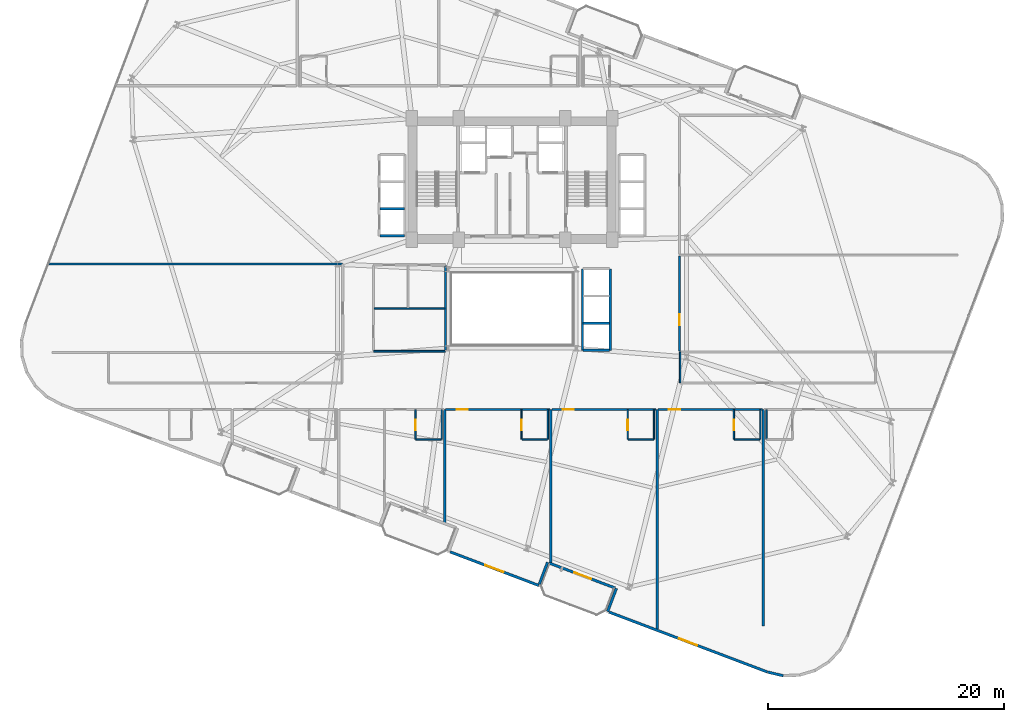
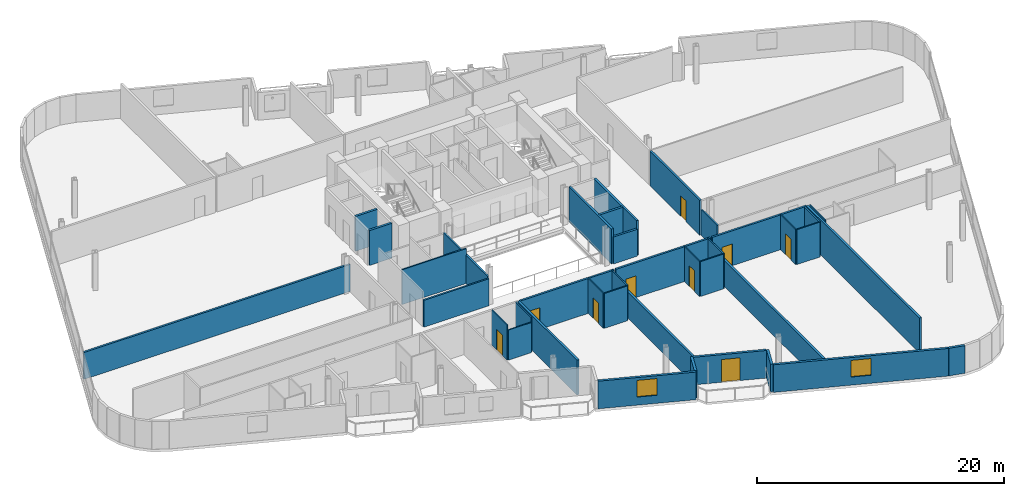
# One storey, part 19 of 26: 38 walls, 9 doors, 2 windows, 11 openings.
"""IFC4 building model written with IfcOpenShell, lengths in metres."""

from ifc_helpers import new_model, si_unit, direction, frame, frame_2d, origin, place, context, subcontext, project, spatial, rectangle, extrude, material, layer, layer_set, type_object, element, fill, save


model = new_model("IFC4")

# Units and contexts
model_context = context("Model", 3, precision=1e-05, world=origin(), true_north=direction((0.0, 1.0)))
body_context = subcontext(model_context, "Body", "Model", "MODEL_VIEW")
ifc_project = project(units=[si_unit("LENGTHUNIT", "METRE"), si_unit("AREAUNIT", "SQUARE_METRE"), si_unit("VOLUMEUNIT", "CUBIC_METRE"), si_unit("PLANEANGLEUNIT", "RADIAN"), si_unit("MASSUNIT", "GRAM", prefix="KILO")], contexts=[model_context])

# Site, building, storey
site_placement = place(None, origin())
site = spatial("IfcSite", under=ifc_project, at=site_placement, CompositionType="ELEMENT")
building_placement = place(site_placement, origin())
building = spatial("IfcBuilding", under=site, at=building_placement, Name="Varnelok Gate Tower", CompositionType="ELEMENT")
storey_placement = place(building_placement, frame((0.0, 0.0, 109.5)))
storey = spatial("IfcBuildingStorey", under=building, at=storey_placement, Name="L27", CompositionType="ELEMENT", Elevation=109.5)

# Wall, opening, door
ifc_material_1 = material(Name="Concrete C45/55", Category="concrete")
ifc_layer_1 = layer(ifc_material_1, 0.219970703125)
ifc_layer_set_1 = layer_set([ifc_layer_1], Name="Concrete C45/55")
wall_type_1 = type_object("IfcWallType", Name="EW-BALC-220", PredefinedType="SOLIDWALL", material=ifc_layer_set_1)
wall_1_placement = place(storey_placement, frame((47.934814453125, -0.771484375, 0.0), z_axis=(0.0, 0.0, 1.0), x_axis=(-0.935227640088, 0.354046976001, 0.0)))
wall_1 = element("IfcWall", 1, at=wall_1_placement, inside=storey, type_object=wall_type_1, Name="L27 South Terrace Envelope Wall 3", PredefinedType="SOLIDWALL", context=body_context, shape_type="SweptSolid", body=[
    extrude(rectangle(XDim=6.0, YDim=0.219970703125, at=frame_2d((3.0, 0.0))), origin(), (0.0, 0.0, 1.0), 2.72998046875),
])
opening_1_placement = place(wall_1_placement, frame((2.176025390625, 0.0, 0.0)))
opening_1 = element("IfcOpeningElement", 2, at=opening_1_placement, cuts=wall_1, Name="Opening BD-1", PredefinedType="OPENING", context=body_context, shape_type="SweptSolid", body=[
    extrude(rectangle(XDim=1.5, YDim=2.25, at=frame_2d((0.75, 1.125))), frame((0.0, 0.119873046875, 0.0), z_axis=(0.0, -1.0, 0.0), x_axis=(1.0, 0.0, 0.0)), (0.0, 0.0, 1.0), 0.239990234375),
])
ifc_material_2 = material(Name="Anodized Aluminum Alloy 6063-T6", Category="aluminium")
door_type_1 = type_object("IfcDoorType", Name="DR-EXT-BALC1500", OperationType="NOTDEFINED", PredefinedType="DOOR", material=ifc_material_2)
door_1_placement = place(opening_1_placement, origin())
door_1 = element("IfcDoor", 3, at=door_1_placement, inside=storey, type_object=door_type_1, Name="L27 South Balcony Glazed Door 3", OperationType="SINGLE_SWING_RIGHT", OverallHeight=2.25, OverallWidth=1.5, PredefinedType="DOOR", context=body_context, shape_type="SweptSolid", body=[
    extrude(rectangle(XDim=1.5, YDim=2.25, at=frame_2d((0.75, 1.125))), frame((0.0, 0.02490234375, 0.0), z_axis=(0.0, -1.0, 0.0), x_axis=(1.0, 0.0, 0.0)), (0.0, 0.0, 1.0), 0.050048828125),
])
fill(opening_1, door_1)

# Wall, opening, window
wall_2_placement = place(storey_placement, frame((33.956787109375, 2.28564453125, 0.0), z_axis=(0.0, 0.0, 1.0), x_axis=(0.935220736163, -0.354065212427, 0.0)))
wall_2 = element("IfcWall", 4, at=wall_2_placement, inside=storey, type_object=wall_type_1, Name="L27 Perimeter Facade Closure Wall 13", PredefinedType="SOLIDWALL", context=body_context, shape_type="SweptSolid", body=[
    extrude(rectangle(XDim=8.03515625, YDim=0.219970703125, at=frame_2d((4.017578125, 0.0))), origin(), (0.0, 0.0, 1.0), 2.72998046875),
])
opening_2_placement = place(wall_2_placement, frame((3.1923828125, 0.0, 0.800048828125)))
opening_2 = element("IfcOpeningElement", 5, at=opening_2_placement, cuts=wall_2, Name="Opening WN3", PredefinedType="OPENING", context=body_context, shape_type="SweptSolid", body=[
    extrude(rectangle(XDim=1.64990234375, YDim=1.64990234375, at=frame_2d((0.824951171875, 0.824951171875))), frame((0.0, 0.119873046875, 0.0), z_axis=(0.0, -1.0, 0.0), x_axis=(1.0, 0.0, 0.0)), (0.0, 0.0, 1.0), 0.239990234375),
])
ifc_material_3 = material(Name="Low-E Laminated Double Glazing IGU", Category="glass")
window_type = type_object("IfcWindowType", Name="WN-HTL-1650", PartitioningType="SINGLE_PANEL", PredefinedType="WINDOW", material=ifc_material_3)
window_1_placement = place(opening_2_placement, origin())
window_1 = element("IfcWindow", 6, at=window_1_placement, inside=storey, type_object=window_type, Name="L27 Perimeter Vision Window 13", OverallHeight=1.64990234375, OverallWidth=1.64990234375, PartitioningType="SINGLE_PANEL", PredefinedType="WINDOW", context=body_context, shape_type="SweptSolid", body=[
    extrude(rectangle(XDim=1.64990234375, YDim=1.64990234375, at=frame_2d((0.824951171875, 0.824951171875))), frame((0.0, 0.030029296875, 0.0), z_axis=(0.0, -1.0, 0.0), x_axis=(1.0, 0.0, 0.0)), (0.0, 0.0, 1.0), 0.06005859375),
])
fill(opening_2, window_1)

# Walls
wall_3_placement = place(storey_placement, frame((41.515625, -0.4423828125, 0.0), z_axis=(0.0, 0.0, 1.0), x_axis=(0.354061611705, 0.935222099352, 0.0)))
element("IfcWall", 7, at=wall_3_placement, inside=storey, type_object=wall_type_1, Name="L27 Perimeter Facade Closure Wall 14", PredefinedType="SOLIDWALL", context=body_context, shape_type="SweptSolid", body=[
    extrude(rectangle(XDim=1.974853515625, YDim=0.219970703125, at=frame_2d((0.9873046875, 0.0))), origin(), (0.0, 0.0, 1.0), 2.72998046875),
])
wall_4_placement = place(storey_placement, frame((48.050537109375, -0.8046875, 0.0), z_axis=(0.0, 0.0, 1.0), x_axis=(-0.353988291547, -0.935249854022, 0.0)))
element("IfcWall", 8, at=wall_4_placement, inside=storey, type_object=wall_type_1, Name="L27 Perimeter Facade Closure Wall 15", PredefinedType="SOLIDWALL", context=body_context, shape_type="SweptSolid", body=[
    extrude(rectangle(XDim=2.10009765625, YDim=0.219970703125, at=frame_2d((1.050048828125, 0.0))), origin(), (0.0, 0.0, 1.0), 2.72998046875),
])

# Wall, opening, window
wall_5_placement = place(storey_placement, frame((47.424072265625, -2.81298828125, 0.0), z_axis=(0.0, 0.0, 1.0), x_axis=(0.935225962032, -0.354051408614, 0.0)))
wall_5 = element("IfcWall", 9, at=wall_5_placement, inside=storey, type_object=wall_type_1, Name="L27 Perimeter Facade Closure Wall 16", PredefinedType="SOLIDWALL", context=body_context, shape_type="SweptSolid", body=[
    extrude(rectangle(XDim=14.346923828125, YDim=0.219970703125, at=frame_2d((7.17333984375, 0.0))), origin(), (0.0, 0.0, 1.0), 2.72998046875),
])
opening_3_placement = place(wall_5_placement, frame((6.348388671875, 0.0, 0.800048828125)))
opening_3 = element("IfcOpeningElement", 10, at=opening_3_placement, cuts=wall_5, Name="Opening WN3", PredefinedType="OPENING", context=body_context, shape_type="SweptSolid", body=[
    extrude(rectangle(XDim=1.64990234375, YDim=1.64990234375, at=frame_2d((0.824951171875, 0.824951171875))), frame((0.0, 0.119873046875, 0.0), z_axis=(0.0, -1.0, 0.0), x_axis=(1.0, 0.0, 0.0)), (0.0, 0.0, 1.0), 0.239990234375),
])
window_2_placement = place(opening_3_placement, origin())
window_2 = element("IfcWindow", 11, at=window_2_placement, inside=storey, type_object=window_type, Name="L27 Perimeter Vision Window 16", OverallHeight=1.64990234375, OverallWidth=1.64990234375, PartitioningType="SINGLE_PANEL", PredefinedType="WINDOW", context=body_context, shape_type="SweptSolid", body=[
    extrude(rectangle(XDim=1.64990234375, YDim=1.64990234375, at=frame_2d((0.824951171875, 0.824951171875))), frame((0.0, 0.030029296875, 0.0), z_axis=(0.0, -1.0, 0.0), x_axis=(1.0, 0.0, 0.0)), (0.0, 0.0, 1.0), 0.06005859375),
])
fill(opening_3, window_2)

# Wall
wall_6_placement = place(storey_placement, frame((60.8662109375, -7.8984375, 0.0), z_axis=(0.0, 0.0, 1.0), x_axis=(0.973405403345, -0.229089329169, 0.0)))
element("IfcWall", 12, at=wall_6_placement, inside=storey, type_object=wall_type_1, Name="L27 Perimeter Facade Closure Wall 17", PredefinedType="SOLIDWALL", context=body_context, shape_type="SweptSolid", body=[
    extrude(rectangle(XDim=1.36083984375, YDim=0.219970703125, at=frame_2d((0.680419921875, 0.0))), origin(), (0.0, 0.0, 1.0), 2.72998046875),
])

# Wall, opening, door
ifc_material_4 = material(Name="Gypsum Plasterboard Acoustic Partition", Category="gypsum")
ifc_layer_2 = layer(ifc_material_4, 0.179931640625)
ifc_layer_set_2 = layer_set([ifc_layer_2], Name="Gypsum Plasterboard Acoustic Partition")
wall_type_2 = type_object("IfcWallType", Name="PW-CORR-180", PredefinedType="PARTITIONING", material=ifc_layer_set_2)
wall_7_placement = place(storey_placement, frame((33.580078125, 14.35009765625, 0.0), z_axis=(0.0, 0.0, 1.0), x_axis=(1.0, 0.0, 0.0)))
wall_7 = element("IfcWall", 13, at=wall_7_placement, inside=storey, type_object=wall_type_2, Name="Interior Partition", PredefinedType="PARTITIONING", context=body_context, shape_type="SweptSolid", body=[
    extrude(rectangle(XDim=8.83984375, YDim=0.179931640625, at=frame_2d((4.419921875, 0.0))), origin(), (0.0, 0.0, 1.0), 3.449951171875),
])
opening_4_placement = place(wall_7_placement, frame((0.91796875, 0.0, 0.0)))
opening_4 = element("IfcOpeningElement", 14, at=opening_4_placement, cuts=wall_7, Name="Opening D-HT", PredefinedType="OPENING", context=body_context, shape_type="SweptSolid", body=[
    extrude(rectangle(XDim=0.949951171875, YDim=2.14990234375, at=frame_2d((0.47509765625, 1.074951171875))), frame((0.0, 0.099853515625, 0.0), z_axis=(0.0, -1.0, 0.0), x_axis=(1.0, 0.0, 0.0)), (0.0, 0.0, 1.0), 0.199951171875),
])
ifc_material_5 = material(Name="Engineered Hardwood Timber", Category="wood")
door_type_2 = type_object("IfcDoorType", Name="DR-HTL-950", OperationType="NOTDEFINED", PredefinedType="DOOR", material=ifc_material_5)
door_2_placement = place(opening_4_placement, origin())
door_2 = element("IfcDoor", 15, at=door_2_placement, inside=storey, type_object=door_type_2, Name="L27 Guest Room 04 Entrance Door", OperationType="SINGLE_SWING_LEFT", OverallHeight=2.14990234375, OverallWidth=0.949951171875, PredefinedType="DOOR", context=body_context, shape_type="SweptSolid", body=[
    extrude(rectangle(XDim=0.949951171875, YDim=2.14990234375, at=frame_2d((0.47509765625, 1.074951171875))), frame((0.0, 0.02490234375, 0.0), z_axis=(0.0, -1.0, 0.0), x_axis=(1.0, 0.0, 0.0)), (0.0, 0.0, 1.0), 0.050048828125),
])
fill(opening_4, door_2)

wall_8_placement = place(storey_placement, frame((42.580078125, 14.35009765625, 0.0), z_axis=(0.0, 0.0, 1.0), x_axis=(1.0, 0.0, 0.0)))
wall_8 = element("IfcWall", 16, at=wall_8_placement, inside=storey, type_object=wall_type_2, Name="Interior Partition", PredefinedType="PARTITIONING", context=body_context, shape_type="SweptSolid", body=[
    extrude(rectangle(XDim=8.83984375, YDim=0.179931640625, at=frame_2d((4.419921875, 0.0))), origin(), (0.0, 0.0, 1.0), 3.449951171875),
])
opening_5_placement = place(wall_8_placement, frame((0.91796875, 0.0, 0.0)))
opening_5 = element("IfcOpeningElement", 17, at=opening_5_placement, cuts=wall_8, Name="Opening D-HT", PredefinedType="OPENING", context=body_context, shape_type="SweptSolid", body=[
    extrude(rectangle(XDim=0.949951171875, YDim=2.14990234375, at=frame_2d((0.47509765625, 1.074951171875))), frame((0.0, 0.099853515625, 0.0), z_axis=(0.0, -1.0, 0.0), x_axis=(1.0, 0.0, 0.0)), (0.0, 0.0, 1.0), 0.199951171875),
])
door_3_placement = place(opening_5_placement, origin())
door_3 = element("IfcDoor", 18, at=door_3_placement, inside=storey, type_object=door_type_2, Name="L27 Guest Room 05 Entrance Door", OperationType="SINGLE_SWING_RIGHT", OverallHeight=2.14990234375, OverallWidth=0.949951171875, PredefinedType="DOOR", context=body_context, shape_type="SweptSolid", body=[
    extrude(rectangle(XDim=0.949951171875, YDim=2.14990234375, at=frame_2d((0.47509765625, 1.074951171875))), frame((0.0, 0.02490234375, 0.0), z_axis=(0.0, -1.0, 0.0), x_axis=(1.0, 0.0, 0.0)), (0.0, 0.0, 1.0), 0.050048828125),
])
fill(opening_5, door_3)

wall_9_placement = place(storey_placement, frame((51.580078125, 14.35009765625, 0.0), z_axis=(0.0, 0.0, 1.0), x_axis=(1.0, 0.0, 0.0)))
wall_9 = element("IfcWall", 19, at=wall_9_placement, inside=storey, type_object=wall_type_2, Name="Interior Partition", PredefinedType="PARTITIONING", context=body_context, shape_type="SweptSolid", body=[
    extrude(rectangle(XDim=8.83984375, YDim=0.179931640625, at=frame_2d((4.419921875, 0.0))), origin(), (0.0, 0.0, 1.0), 3.449951171875),
])
opening_6_placement = place(wall_9_placement, frame((0.91796875, 0.0, 0.0)))
opening_6 = element("IfcOpeningElement", 20, at=opening_6_placement, cuts=wall_9, Name="Opening D-HT", PredefinedType="OPENING", context=body_context, shape_type="SweptSolid", body=[
    extrude(rectangle(XDim=0.949951171875, YDim=2.14990234375, at=frame_2d((0.47509765625, 1.074951171875))), frame((0.0, 0.099853515625, 0.0), z_axis=(0.0, -1.0, 0.0), x_axis=(1.0, 0.0, 0.0)), (0.0, 0.0, 1.0), 0.199951171875),
])
door_4_placement = place(opening_6_placement, origin())
door_4 = element("IfcDoor", 21, at=door_4_placement, inside=storey, type_object=door_type_2, Name="L27 Guest Room 06 Entrance Door", OperationType="SINGLE_SWING_LEFT", OverallHeight=2.14990234375, OverallWidth=0.949951171875, PredefinedType="DOOR", context=body_context, shape_type="SweptSolid", body=[
    extrude(rectangle(XDim=0.949951171875, YDim=2.14990234375, at=frame_2d((0.47509765625, 1.074951171875))), frame((0.0, 0.02490234375, 0.0), z_axis=(0.0, -1.0, 0.0), x_axis=(1.0, 0.0, 0.0)), (0.0, 0.0, 1.0), 0.050048828125),
])
fill(opening_6, door_4)

# Wall
wall_10_placement = place(storey_placement, frame((-0.07080078125, 26.699951171875, 0.0), z_axis=(0.0, 0.0, 1.0), x_axis=(1.0, 0.0, 0.0)))
element("IfcWall", 22, at=wall_10_placement, inside=storey, type_object=wall_type_2, Name="Interior Partition", PredefinedType="PARTITIONING", context=body_context, shape_type="SweptSolid", body=[
    extrude(rectangle(XDim=24.9208984375, YDim=0.179931640625, at=frame_2d((12.46044921875, 0.0))), origin(), (0.0, 0.0, 1.0), 2.662109375),
])

# Wall, opening, door
wall_11_placement = place(storey_placement, frame((53.389892578125, 19.300048828125, 0.0), z_axis=(0.0, 0.0, 1.0), x_axis=(0.0, 1.0, 0.0)))
wall_11 = element("IfcWall", 23, at=wall_11_placement, inside=storey, type_object=wall_type_2, Name="Interior Partition", PredefinedType="PARTITIONING", context=body_context, shape_type="SweptSolid", body=[
    extrude(rectangle(XDim=8.070068359375, YDim=0.179931640625, at=frame_2d((4.03515625, 0.0))), origin(), (0.0, 0.0, 1.0), 3.449951171875),
])
opening_7_placement = place(wall_11_placement, frame((2.199951171875, 0.0, 0.0)))
opening_7 = element("IfcOpeningElement", 24, at=opening_7_placement, cuts=wall_11, Name="Opening D-I3", PredefinedType="OPENING", context=body_context, shape_type="SweptSolid", body=[
    extrude(rectangle(XDim=0.919921875, YDim=2.050048828125, at=frame_2d((0.4599609375, 1.02490234375))), frame((0.0, 0.099853515625, 0.0), z_axis=(0.0, -1.0, 0.0), x_axis=(1.0, 0.0, 0.0)), (0.0, 0.0, 1.0), 0.199951171875),
])
door_type_3 = type_object("IfcDoorType", Name="DR-INT-920", OperationType="NOTDEFINED", PredefinedType="DOOR", material=ifc_material_5)
door_5_placement = place(opening_7_placement, origin())
door_5 = element("IfcDoor", 25, at=door_5_placement, inside=storey, type_object=door_type_3, Name="L27 East Suite 1 Door", OperationType="SINGLE_SWING_LEFT", OverallHeight=2.050048828125, OverallWidth=0.919921875, PredefinedType="DOOR", context=body_context, shape_type="SweptSolid", body=[
    extrude(rectangle(XDim=0.919921875, YDim=2.050048828125, at=frame_2d((0.4599609375, 1.02490234375))), frame((0.0, 0.02490234375, 0.0), z_axis=(0.0, -1.0, 0.0), x_axis=(1.0, 0.0, 0.0)), (0.0, 0.0, 1.0), 0.050048828125),
])
fill(opening_7, door_5)

# Wall
ifc_layer_3 = layer(ifc_material_4, 0.114990234375)
ifc_layer_set_3 = layer_set([ifc_layer_3], Name="Gypsum Plasterboard Acoustic Partition")
wall_type_3 = type_object("IfcWallType", Name="PW-ENS-125", PredefinedType="PARTITIONING", material=ifc_layer_set_3)
wall_12_placement = place(storey_placement, frame((31.050048828125, 11.830078125, 0.0), z_axis=(0.0, 0.0, 1.0), x_axis=(1.0, 0.0, 0.0)))
element("IfcWall", 26, at=wall_12_placement, inside=storey, type_object=wall_type_3, Name="Interior Partition", PredefinedType="PARTITIONING", context=body_context, shape_type="SweptSolid", body=[
    extrude(rectangle(XDim=2.14990234375, YDim=0.114990234375, at=frame_2d((1.074951171875, 0.0))), origin(), (0.0, 0.0, 1.0), 2.971923828125),
])

# Wall, opening, door
wall_13_placement = place(storey_placement, frame((31.010009765625, 11.830078125, 0.0), z_axis=(0.0, 0.0, 1.0), x_axis=(0.0, 1.0, 0.0)))
wall_13 = element("IfcWall", 27, at=wall_13_placement, inside=storey, type_object=wall_type_3, Name="Interior Partition", PredefinedType="PARTITIONING", context=body_context, shape_type="SweptSolid", body=[
    extrude(rectangle(XDim=2.52001953125, YDim=0.114990234375, at=frame_2d((1.260009765625, 0.0))), origin(), (0.0, 0.0, 1.0), 3.449951171875),
])
opening_8_placement = place(wall_13_placement, frame((0.760009765625, 0.0, 0.0)))
opening_8 = element("IfcOpeningElement", 28, at=opening_8_placement, cuts=wall_13, Name="Opening D-WC", PredefinedType="OPENING", context=body_context, shape_type="SweptSolid", body=[
    extrude(rectangle(XDim=0.89990234375, YDim=2.050048828125, at=frame_2d((0.449951171875, 1.02490234375))), frame((0.0, 0.0673828125, 0.0), z_axis=(0.0, -1.0, 0.0), x_axis=(1.0, 0.0, 0.0)), (0.0, 0.0, 1.0), 0.135009765625),
])
door_type_4 = type_object("IfcDoorType", Name="DR-BATH-900", OperationType="NOTDEFINED", PredefinedType="DOOR", material=ifc_material_5)
door_6_placement = place(opening_8_placement, origin())
door_6 = element("IfcDoor", 29, at=door_6_placement, inside=storey, type_object=door_type_4, Name="L27 Guest En-Suite 03 Door", OperationType="SINGLE_SWING_RIGHT", OverallHeight=2.050048828125, OverallWidth=0.89990234375, PredefinedType="DOOR", context=body_context, shape_type="SweptSolid", body=[
    extrude(rectangle(XDim=0.89990234375, YDim=2.050048828125, at=frame_2d((0.449951171875, 1.02490234375))), frame((0.0, 0.02490234375, 0.0), z_axis=(0.0, -1.0, 0.0), x_axis=(1.0, 0.0, 0.0)), (0.0, 0.0, 1.0), 0.050048828125),
])
fill(opening_8, door_6)

# Walls
wall_14_placement = place(storey_placement, frame((33.239990234375, 11.830078125, 0.0), z_axis=(0.0, 0.0, 1.0), x_axis=(0.0, 1.0, 0.0)))
element("IfcWall", 30, at=wall_14_placement, inside=storey, type_object=wall_type_3, Name="Interior Partition", PredefinedType="PARTITIONING", context=body_context, shape_type="SweptSolid", body=[
    extrude(rectangle(XDim=2.52001953125, YDim=0.114990234375, at=frame_2d((1.260009765625, 0.0))), origin(), (0.0, 0.0, 1.0), 3.449951171875),
])
wall_15_placement = place(storey_placement, frame((40.050048828125, 11.830078125, 0.0), z_axis=(0.0, 0.0, 1.0), x_axis=(1.0, 0.0, 0.0)))
element("IfcWall", 31, at=wall_15_placement, inside=storey, type_object=wall_type_3, Name="Interior Partition", PredefinedType="PARTITIONING", context=body_context, shape_type="SweptSolid", body=[
    extrude(rectangle(XDim=2.14990234375, YDim=0.114990234375, at=frame_2d((1.074951171875, 0.0))), origin(), (0.0, 0.0, 1.0), 3.449951171875),
])

# Wall, opening, door
wall_16_placement = place(storey_placement, frame((40.010009765625, 11.830078125, 0.0), z_axis=(0.0, 0.0, 1.0), x_axis=(0.0, 1.0, 0.0)))
wall_16 = element("IfcWall", 32, at=wall_16_placement, inside=storey, type_object=wall_type_3, Name="Interior Partition", PredefinedType="PARTITIONING", context=body_context, shape_type="SweptSolid", body=[
    extrude(rectangle(XDim=2.52001953125, YDim=0.114990234375, at=frame_2d((1.260009765625, 0.0))), origin(), (0.0, 0.0, 1.0), 3.449951171875),
])
opening_9_placement = place(wall_16_placement, frame((0.760009765625, 0.0, 0.0)))
opening_9 = element("IfcOpeningElement", 33, at=opening_9_placement, cuts=wall_16, Name="Opening D-WC", PredefinedType="OPENING", context=body_context, shape_type="SweptSolid", body=[
    extrude(rectangle(XDim=0.89990234375, YDim=2.050048828125, at=frame_2d((0.449951171875, 1.02490234375))), frame((0.0, 0.0673828125, 0.0), z_axis=(0.0, -1.0, 0.0), x_axis=(1.0, 0.0, 0.0)), (0.0, 0.0, 1.0), 0.135009765625),
])
door_7_placement = place(opening_9_placement, origin())
door_7 = element("IfcDoor", 34, at=door_7_placement, inside=storey, type_object=door_type_4, Name="L27 Guest En-Suite 04 Door", OperationType="SINGLE_SWING_RIGHT", OverallHeight=2.050048828125, OverallWidth=0.89990234375, PredefinedType="DOOR", context=body_context, shape_type="SweptSolid", body=[
    extrude(rectangle(XDim=0.89990234375, YDim=2.050048828125, at=frame_2d((0.449951171875, 1.02490234375))), frame((0.0, 0.02490234375, 0.0), z_axis=(0.0, -1.0, 0.0), x_axis=(1.0, 0.0, 0.0)), (0.0, 0.0, 1.0), 0.050048828125),
])
fill(opening_9, door_7)

# Walls
wall_17_placement = place(storey_placement, frame((42.239990234375, 11.830078125, 0.0), z_axis=(0.0, 0.0, 1.0), x_axis=(0.0, 1.0, 0.0)))
element("IfcWall", 35, at=wall_17_placement, inside=storey, type_object=wall_type_3, Name="Interior Partition", PredefinedType="PARTITIONING", context=body_context, shape_type="SweptSolid", body=[
    extrude(rectangle(XDim=2.52001953125, YDim=0.114990234375, at=frame_2d((1.260009765625, 0.0))), origin(), (0.0, 0.0, 1.0), 3.449951171875),
])
wall_18_placement = place(storey_placement, frame((49.050048828125, 11.830078125, 0.0), z_axis=(0.0, 0.0, 1.0), x_axis=(1.0, 0.0, 0.0)))
element("IfcWall", 36, at=wall_18_placement, inside=storey, type_object=wall_type_3, Name="Interior Partition", PredefinedType="PARTITIONING", context=body_context, shape_type="SweptSolid", body=[
    extrude(rectangle(XDim=2.14990234375, YDim=0.114990234375, at=frame_2d((1.074951171875, 0.0))), origin(), (0.0, 0.0, 1.0), 3.449951171875),
])

# Wall, opening, door
wall_19_placement = place(storey_placement, frame((49.010009765625, 11.830078125, 0.0), z_axis=(0.0, 0.0, 1.0), x_axis=(0.0, 1.0, 0.0)))
wall_19 = element("IfcWall", 37, at=wall_19_placement, inside=storey, type_object=wall_type_3, Name="Interior Partition", PredefinedType="PARTITIONING", context=body_context, shape_type="SweptSolid", body=[
    extrude(rectangle(XDim=2.52001953125, YDim=0.114990234375, at=frame_2d((1.260009765625, 0.0))), origin(), (0.0, 0.0, 1.0), 3.449951171875),
])
opening_10_placement = place(wall_19_placement, frame((0.760009765625, 0.0, 0.0)))
opening_10 = element("IfcOpeningElement", 38, at=opening_10_placement, cuts=wall_19, Name="Opening D-WC", PredefinedType="OPENING", context=body_context, shape_type="SweptSolid", body=[
    extrude(rectangle(XDim=0.89990234375, YDim=2.050048828125, at=frame_2d((0.449951171875, 1.02490234375))), frame((0.0, 0.0673828125, 0.0), z_axis=(0.0, -1.0, 0.0), x_axis=(1.0, 0.0, 0.0)), (0.0, 0.0, 1.0), 0.135009765625),
])
door_8_placement = place(opening_10_placement, origin())
door_8 = element("IfcDoor", 39, at=door_8_placement, inside=storey, type_object=door_type_4, Name="L27 Guest En-Suite 05 Door", OperationType="SINGLE_SWING_RIGHT", OverallHeight=2.050048828125, OverallWidth=0.89990234375, PredefinedType="DOOR", context=body_context, shape_type="SweptSolid", body=[
    extrude(rectangle(XDim=0.89990234375, YDim=2.050048828125, at=frame_2d((0.449951171875, 1.02490234375))), frame((0.0, 0.02490234375, 0.0), z_axis=(0.0, -1.0, 0.0), x_axis=(1.0, 0.0, 0.0)), (0.0, 0.0, 1.0), 0.050048828125),
])
fill(opening_10, door_8)

# Walls
wall_20_placement = place(storey_placement, frame((51.239990234375, 11.830078125, 0.0), z_axis=(0.0, 0.0, 1.0), x_axis=(0.0, 1.0, 0.0)))
element("IfcWall", 40, at=wall_20_placement, inside=storey, type_object=wall_type_3, Name="Interior Partition", PredefinedType="PARTITIONING", context=body_context, shape_type="SweptSolid", body=[
    extrude(rectangle(XDim=2.52001953125, YDim=0.114990234375, at=frame_2d((1.260009765625, 0.0))), origin(), (0.0, 0.0, 1.0), 3.449951171875),
])
wall_21_placement = place(storey_placement, frame((58.050048828125, 11.830078125, 0.0), z_axis=(0.0, 0.0, 1.0), x_axis=(1.0, 0.0, 0.0)))
element("IfcWall", 41, at=wall_21_placement, inside=storey, type_object=wall_type_3, Name="Interior Partition", PredefinedType="PARTITIONING", context=body_context, shape_type="SweptSolid", body=[
    extrude(rectangle(XDim=2.14990234375, YDim=0.114990234375, at=frame_2d((1.074951171875, 0.0))), origin(), (0.0, 0.0, 1.0), 3.449951171875),
])

# Wall, opening, door
wall_22_placement = place(storey_placement, frame((58.010009765625, 11.830078125, 0.0), z_axis=(0.0, 0.0, 1.0), x_axis=(0.0, 1.0, 0.0)))
wall_22 = element("IfcWall", 42, at=wall_22_placement, inside=storey, type_object=wall_type_3, Name="Interior Partition", PredefinedType="PARTITIONING", context=body_context, shape_type="SweptSolid", body=[
    extrude(rectangle(XDim=2.52001953125, YDim=0.114990234375, at=frame_2d((1.260009765625, 0.0))), origin(), (0.0, 0.0, 1.0), 3.449951171875),
])
opening_11_placement = place(wall_22_placement, frame((0.760009765625, 0.0, 0.0)))
opening_11 = element("IfcOpeningElement", 43, at=opening_11_placement, cuts=wall_22, Name="Opening D-WC", PredefinedType="OPENING", context=body_context, shape_type="SweptSolid", body=[
    extrude(rectangle(XDim=0.89990234375, YDim=2.050048828125, at=frame_2d((0.449951171875, 1.02490234375))), frame((0.0, 0.0673828125, 0.0), z_axis=(0.0, -1.0, 0.0), x_axis=(1.0, 0.0, 0.0)), (0.0, 0.0, 1.0), 0.135009765625),
])
door_9_placement = place(opening_11_placement, origin())
door_9 = element("IfcDoor", 44, at=door_9_placement, inside=storey, type_object=door_type_4, Name="L27 Guest En-Suite 06 Door", OperationType="SINGLE_SWING_RIGHT", OverallHeight=2.050048828125, OverallWidth=0.89990234375, PredefinedType="DOOR", context=body_context, shape_type="SweptSolid", body=[
    extrude(rectangle(XDim=0.89990234375, YDim=2.050048828125, at=frame_2d((0.449951171875, 1.02490234375))), frame((0.0, 0.02490234375, 0.0), z_axis=(0.0, -1.0, 0.0), x_axis=(1.0, 0.0, 0.0)), (0.0, 0.0, 1.0), 0.050048828125),
])
fill(opening_11, door_9)

# Walls
for number, where, z_axis, x_axis, name in (
    (45, (60.239990234375, 11.830078125, 0.0), (0.0, 0.0, 1.0), (0.0, 1.0, 0.0), "Interior Partition"),
    (46, (60.760009765625, 11.830078125, 0.0), (0.0, 0.0, 1.0), (0.0, 1.0, 0.0), "Interior Partition"),
):
    element("IfcWall", number, at=place(storey_placement, frame(where, z_axis=z_axis, x_axis=x_axis)), inside=storey, type_object=wall_type_3, Name=name, PredefinedType="PARTITIONING", context=body_context, shape_type="SweptSolid", body=[
        extrude(rectangle(XDim=2.52001953125, YDim=0.114990234375, at=frame_2d((1.260009765625, 0.0))), origin(), (0.0, 0.0, 1.0), 3.449951171875),
    ])
ifc_layer_4 = layer(ifc_material_4, 0.125)
ifc_layer_set_4 = layer_set([ifc_layer_4], Name="Gypsum Plasterboard Acoustic Partition")
wall_type_4 = type_object("IfcWallType", Name="PW-PART-125", PredefinedType="PARTITIONING", material=ifc_layer_set_4)
wall_23_placement = place(storey_placement, frame((53.449951171875, 16.610107421875, 0.0), z_axis=(0.0, 0.0, 1.0), x_axis=(0.0, 1.0, 0.0)))
element("IfcWall", 47, at=wall_23_placement, inside=storey, type_object=wall_type_4, Name="Interior Partition", PredefinedType="PARTITIONING", context=body_context, shape_type="SweptSolid", body=[
    extrude(rectangle(XDim=2.6298828125, YDim=0.125, at=frame_2d((1.31494140625, 0.0))), origin(), (0.0, 0.0, 1.0), 2.580078125),
])
wall_24_placement = place(storey_placement, frame((27.52001953125, 22.929931640625, 0.0), z_axis=(0.0, 0.0, 1.0), x_axis=(1.0, 0.0, 0.0)))
element("IfcWall", 48, at=wall_24_placement, inside=storey, type_object=wall_type_4, Name="Interior Partition", PredefinedType="PARTITIONING", context=body_context, shape_type="SweptSolid", body=[
    extrude(rectangle(XDim=6.0, YDim=0.125, at=frame_2d((3.0, 0.0))), origin(), (0.0, 0.0, 1.0), 3.449951171875),
])
ifc_layer_5 = layer(ifc_material_4, 0.14990234375)
ifc_layer_set_5 = layer_set([ifc_layer_5], Name="Gypsum Plasterboard Acoustic Partition")
wall_type_5 = type_object("IfcWallType", Name="PW-PART-150", PredefinedType="PARTITIONING", material=ifc_layer_set_5)
wall_25_placement = place(storey_placement, frame((27.4599609375, 19.300048828125, 0.0), z_axis=(0.0, 0.0, 1.0), x_axis=(1.0, 0.0, 0.0)))
element("IfcWall", 49, at=wall_25_placement, inside=storey, type_object=wall_type_5, Name="Interior Partition", PredefinedType="PARTITIONING", context=body_context, shape_type="SweptSolid", body=[
    extrude(rectangle(XDim=6.10009765625, YDim=0.14990234375, at=frame_2d((3.050048828125, 0.0))), origin(), (0.0, 0.0, 1.0), 2.662109375),
])
wall_26_placement = place(storey_placement, frame((33.56005859375, 19.3798828125, 0.0), z_axis=(0.0, 0.0, 1.0), x_axis=(0.0, 1.0, 0.0)))
element("IfcWall", 50, at=wall_26_placement, inside=storey, type_object=wall_type_5, Name="Interior Partition", PredefinedType="PARTITIONING", context=body_context, shape_type="SweptSolid", body=[
    extrude(rectangle(XDim=7.16015625, YDim=0.14990234375, at=frame_2d((3.580078125, 0.0))), origin(), (0.0, 0.0, 1.0), 2.823974609375),
])
ifc_layer_6 = layer(ifc_material_4, 0.205078125)
ifc_layer_set_6 = layer_set([ifc_layer_6], Name="Gypsum Plasterboard Acoustic Partition")
wall_type_6 = type_object("IfcWallType", Name="PW-PARTY-200", PredefinedType="PARTITIONING", material=ifc_layer_set_6)
wall_27_placement = place(storey_placement, frame((33.5, 4.725341796875, 0.0), z_axis=(0.0, 0.0, 1.0), x_axis=(0.0, 1.0, 0.0)))
element("IfcWall", 51, at=wall_27_placement, inside=storey, type_object=wall_type_6, Name="L27 South Party Wall 3", PredefinedType="PARTITIONING", context=body_context, shape_type="SweptSolid", body=[
    extrude(rectangle(XDim=9.624755859375, YDim=0.205078125, at=frame_2d((4.8125, 0.0))), origin(), (0.0, 0.0, 1.0), 3.449951171875),
])
wall_28_placement = place(storey_placement, frame((42.5, 1.318115234375, 0.0), z_axis=(0.0, 0.0, 1.0), x_axis=(0.0, 1.0, 0.0)))
element("IfcWall", 52, at=wall_28_placement, inside=storey, type_object=wall_type_6, Name="L27 South Party Wall 4", PredefinedType="PARTITIONING", context=body_context, shape_type="SweptSolid", body=[
    extrude(rectangle(XDim=13.031982421875, YDim=0.205078125, at=frame_2d((6.51611328125, 0.0))), origin(), (0.0, 0.0, 1.0), 2.580078125),
])
wall_29_placement = place(storey_placement, frame((51.5, -4.2509765625, 0.0), z_axis=(0.0, 0.0, 1.0), x_axis=(0.0, 1.0, 0.0)))
element("IfcWall", 53, at=wall_29_placement, inside=storey, type_object=wall_type_6, Name="L27 South Party Wall 5", PredefinedType="PARTITIONING", context=body_context, shape_type="SweptSolid", body=[
    extrude(rectangle(XDim=18.60107421875, YDim=0.205078125, at=frame_2d((9.300537109375, 0.0))), origin(), (0.0, 0.0, 1.0), 2.580078125),
])
wall_30_placement = place(storey_placement, frame((60.5, -4.0, 0.0), z_axis=(0.0, 0.0, 1.0), x_axis=(0.0, 1.0, 0.0)))
element("IfcWall", 54, at=wall_30_placement, inside=storey, type_object=wall_type_6, Name="L27 South Party Wall 6", PredefinedType="PARTITIONING", context=body_context, shape_type="SweptSolid", body=[
    extrude(rectangle(XDim=18.35009765625, YDim=0.205078125, at=frame_2d((9.175048828125, 0.0))), origin(), (0.0, 0.0, 1.0), 3.449951171875),
])
ifc_material_6 = material(Name="Concrete C35/45", Category="concrete")
ifc_layer_7 = layer(ifc_material_6, 0.199951171875)
ifc_layer_set_7 = layer_set([ifc_layer_7], Name="Concrete C35/45")
wall_type_7 = type_object("IfcWallType", Name="PW-SHAFT-200", PredefinedType="PARTITIONING", material=ifc_layer_set_7)
wall_31_placement = place(storey_placement, frame((28.02001953125, 31.375, 0.0), z_axis=(0.0, 0.0, 1.0), x_axis=(1.0, 0.0, 0.0)))
element("IfcWall", 55, at=wall_31_placement, inside=storey, type_object=wall_type_7, Name="L27 PL1 Divider", PredefinedType="PARTITIONING", context=body_context, shape_type="SweptSolid", body=[
    extrude(rectangle(XDim=2.06005859375, YDim=0.199951171875, at=frame_2d((1.030029296875, 0.0))), origin(), (0.0, 0.0, 1.0), 3.449951171875),
])
wall_32_placement = place(storey_placement, frame((28.0, 29.080078125, 0.0), z_axis=(0.0, 0.0, 1.0), x_axis=(1.0, 0.0, 0.0)))
element("IfcWall", 56, at=wall_32_placement, inside=storey, type_object=wall_type_7, Name="L27 PL Bank South Wall", PredefinedType="PARTITIONING", context=body_context, shape_type="SweptSolid", body=[
    extrude(rectangle(XDim=2.10009765625, YDim=0.199951171875, at=frame_2d((1.050048828125, 0.0))), origin(), (0.0, 0.0, 1.0), 3.449951171875),
])
wall_33_placement = place(storey_placement, frame((45.239990234375, 21.675048828125, 0.0), z_axis=(0.0, 0.0, 1.0), x_axis=(1.0, 0.0, 0.0)))
element("IfcWall", 57, at=wall_33_placement, inside=storey, type_object=wall_type_7, Name="L27 PH1 Divider", PredefinedType="PARTITIONING", context=body_context, shape_type="SweptSolid", body=[
    extrude(rectangle(XDim=2.219970703125, YDim=0.199951171875, at=frame_2d((1.10986328125, 0.0))), origin(), (0.0, 0.0, 1.0), 3.449951171875),
])
wall_34_placement = place(storey_placement, frame((45.239990234375, 19.3798828125, 0.0), z_axis=(0.0, 0.0, 1.0), x_axis=(1.0, 0.0, 0.0)))
element("IfcWall", 58, at=wall_34_placement, inside=storey, type_object=wall_type_7, Name="L27 PH Bank South Wall", PredefinedType="PARTITIONING", context=body_context, shape_type="SweptSolid", body=[
    extrude(rectangle(XDim=2.219970703125, YDim=0.199951171875, at=frame_2d((1.10986328125, 0.0))), origin(), (0.0, 0.0, 1.0), 2.662109375),
])
for number, where, z_axis, x_axis, name in (
    (59, (45.179931640625, 19.3798828125, 0.0), (0.0, 0.0, 1.0), (0.0, 1.0, 0.0), "L27 PH Bank Atrium Wall"),
    (60, (47.52001953125, 19.3798828125, 0.0), (0.0, 0.0, 1.0), (0.0, 1.0, 0.0), "L27 PH Bank Front Wall"),
):
    element("IfcWall", number, at=place(storey_placement, frame(where, z_axis=z_axis, x_axis=x_axis)), inside=storey, type_object=wall_type_7, Name=name, PredefinedType="PARTITIONING", context=body_context, shape_type="SweptSolid", body=[
        extrude(rectangle(XDim=6.900146484375, YDim=0.199951171875, at=frame_2d((3.4501953125, 0.0))), origin(), (0.0, 0.0, 1.0), 3.449951171875),
    ])

save(model, "model.ifc")
